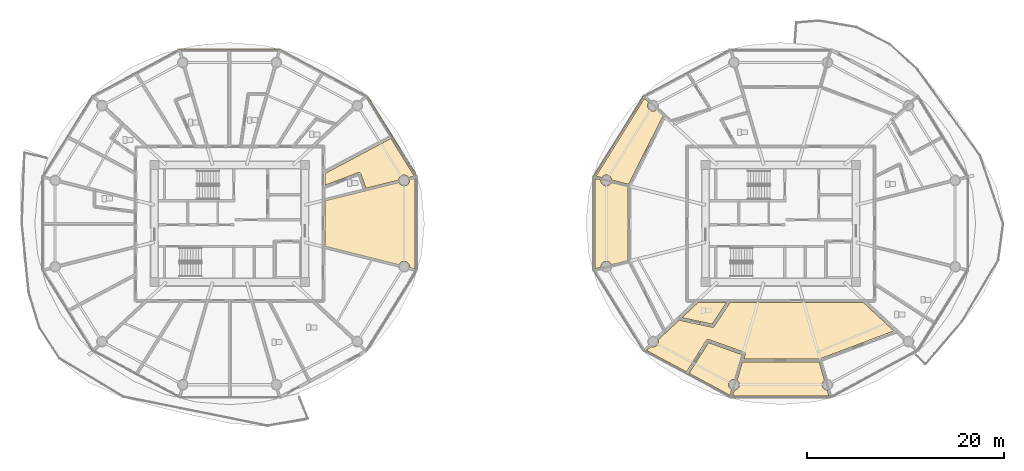
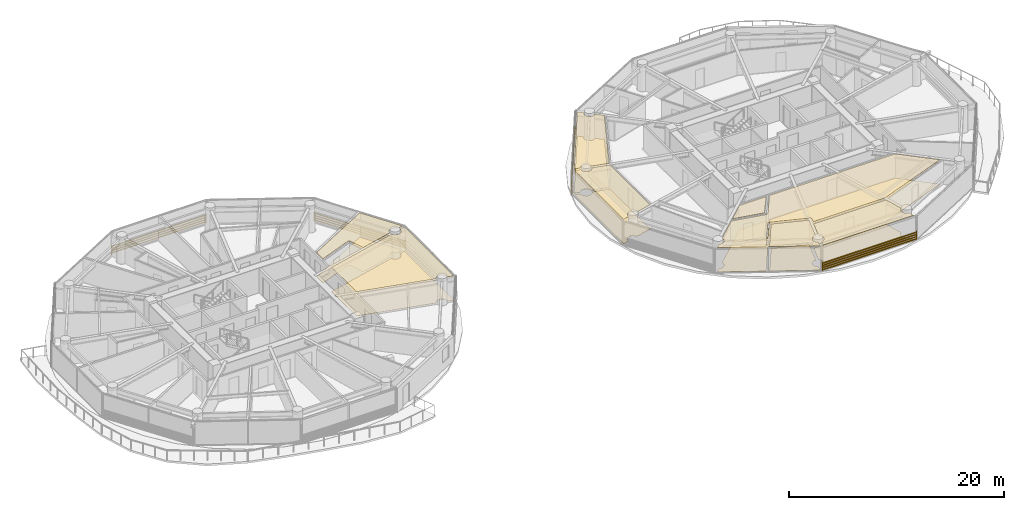
# One storey, part 26 of 31: 16 coverings, 4 shading devices.
"""IFC4 building model written with IfcOpenShell, lengths in metres."""

from ifc_helpers import new_model, si_unit, direction, frame, origin, origin_2d, place, context, subcontext, project, spatial, polyline, rectangle, outline, extrude, source, transform, mapped, material, layer, layer_set, type_object, type_shapes, element, save


model = new_model("IFC4")

# Units and contexts
model_context = context("Model", 3, precision=1e-05, world=origin(), true_north=direction((0.0, 1.0)))
body_context = subcontext(model_context, "Body", "Model", "MODEL_VIEW")
ifc_project = project(units=[si_unit("LENGTHUNIT", "METRE"), si_unit("AREAUNIT", "SQUARE_METRE"), si_unit("VOLUMEUNIT", "CUBIC_METRE"), si_unit("PLANEANGLEUNIT", "RADIAN"), si_unit("MASSUNIT", "GRAM", prefix="KILO")], contexts=[model_context])

# Site, building, storey
site_placement = place(None, origin())
site = spatial("IfcSite", under=ifc_project, at=site_placement, CompositionType="ELEMENT")
building_placement = place(site_placement, origin())
building = spatial("IfcBuilding", under=site, at=building_placement, Name="Norrkilde Senior Care Towers", CompositionType="ELEMENT")
storey_placement = place(building_placement, frame((0.0, 0.0, 42.949951171875)))
storey = spatial("IfcBuildingStorey", under=building, at=storey_placement, Name="L12", CompositionType="ELEMENT", Elevation=42.949951171875)

# Coverings
ifc_material_1 = material(Name="Nordic Ash Timber", Category="wood")
ifc_layer_1 = layer(ifc_material_1, 0.044921875)
ifc_layer_set_1 = layer_set([ifc_layer_1], Name="Nordic Ash Timber")
covering_type_1 = type_object("IfcCoveringType", Name="Acoustic Ash Timber Slatted Ceiling 45", PredefinedType="CEILING", material=ifc_layer_set_1)
covering_1_placement = place(storey_placement, frame((0.0, 0.0, 2.7451171875)))
element("IfcCovering", 1, at=covering_1_placement, inside=storey, type_object=covering_type_1, Name="L12 Suspended Ceiling 0179", PredefinedType="CEILING", context=body_context, shape_type="SweptSolid", body=[
    extrude(outline(polyline([(-10.755859375, 4.109375), (-10.667724609375, 3.99462890625), (-10.552734375, 3.90625), (-10.4189453125, 3.850830078125), (-10.275146484375, 3.83203125), (-10.131591796875, 3.850830078125), (-9.997802734375, 3.90625), (-9.8828125, 3.99462890625), (-9.794677734375, 4.109375), (-9.7392578125, 4.243408203125), (-9.72021484375, 4.386962890625), (-9.729248046875, 4.455322265625), (-9.149169921875, 4.6005859375), (-9.149169921875, -4.6005859375), (-9.729248046875, -4.455322265625), (-9.72021484375, -4.386962890625), (-9.7392578125, -4.243408203125), (-9.794677734375, -4.109375), (-9.8828125, -3.99462890625), (-9.997802734375, -3.90625), (-10.131591796875, -3.850830078125), (-10.275146484375, -3.83203125), (-10.4189453125, -3.850830078125), (-10.552734375, -3.90625), (-10.667724609375, -3.99462890625), (-10.755859375, -4.109375), (-10.7890625, -4.189697265625), (-18.300048828125, -2.30712890625), (-18.300048828125, 2.30712890625), (-10.7890625, 4.189697265625), (-10.755859375, 4.109375)])), origin(), (0.0, 0.0, 1.0), 0.044921875),
])
covering_2_placement = place(storey_placement, frame((0.0, 0.0, 2.7451171875)))
element("IfcCovering", 2, at=covering_2_placement, inside=storey, type_object=covering_type_1, Name="L12 Suspended Ceiling 0180", PredefinedType="CEILING", context=body_context, shape_type="SweptSolid", body=[
    extrude(outline(polyline([(-14.689453125, 5.11279296875), (-14.693359375, 5.11865234375), (-14.700439453125, 5.12841796875), (-14.704833984375, 5.1337890625), (-14.712890625, 5.142822265625), (-14.7177734375, 5.147705078125), (-14.726806640625, 5.15576171875), (-14.732177734375, 5.16015625), (-14.74169921875, 5.167236328125), (-14.74755859375, 5.171142578125), (-14.7578125, 5.17724609375), (-14.76416015625, 5.1806640625), (-14.77490234375, 5.185791015625), (-14.781494140625, 5.188232421875), (-14.792724609375, 5.1923828125), (-14.799560546875, 5.1943359375), (-14.811279296875, 5.197021484375), (-14.818115234375, 5.198486328125), (-14.830078125, 5.199951171875), (-14.8369140625, 5.20068359375), (-14.848876953125, 5.200927734375), (-14.85595703125, 5.200927734375), (-14.867919921875, 5.2001953125), (-14.874755859375, 5.199462890625), (-14.88671875, 5.197509765625), (-14.8935546875, 5.196044921875), (-14.905029296875, 5.19287109375), (-14.911865234375, 5.190673828125), (-14.91748046875, 5.188720703125), (-18.300048828125, 3.899658203125), (-18.300048828125, 5.093017578125), (-18.240234375, 5.125244140625), (-11.614501953125, 8.65234375), (-9.236083984375, 4.826171875), (-9.80859375, 4.6826171875), (-9.8828125, 4.779541015625), (-9.997802734375, 4.86767578125), (-10.131591796875, 4.923095703125), (-10.275146484375, 4.94189453125), (-10.4189453125, 4.923095703125), (-10.552734375, 4.86767578125), (-10.667724609375, 4.779541015625), (-10.755859375, 4.66455078125), (-10.811279296875, 4.530517578125), (-10.824951171875, 4.427978515625), (-14.156982421875, 3.593017578125), (-14.67041015625, 5.0732421875), (-14.67236328125, 5.0791015625), (-14.675048828125, 5.08544921875), (-14.68017578125, 5.096435546875), (-14.683349609375, 5.1025390625), (-14.689453125, 5.11279296875)])), origin(), (0.0, 0.0, 1.0), 0.044921875),
])
covering_3_placement = place(storey_placement, frame((0.0, 0.0, 2.7451171875)))
element("IfcCovering", 3, at=covering_3_placement, inside=storey, type_object=covering_type_1, Name="L12 Suspended Ceiling 0193", PredefinedType="CEILING", context=body_context, shape_type="SweptSolid", body=[
    extrude(outline(polyline([(10.824951171875, 4.427978515625), (10.811279296875, 4.530517578125), (10.755859375, 4.66455078125), (10.667724609375, 4.779541015625), (10.552734375, 4.86767578125), (10.4189453125, 4.923095703125), (10.275146484375, 4.94189453125), (10.131591796875, 4.923095703125), (9.997802734375, 4.86767578125), (9.8828125, 4.779541015625), (9.80859375, 4.6826171875), (9.236083984375, 4.826171875), (14.14013671875, 12.715087890625), (14.583740234375, 12.31494140625), (14.5439453125, 12.262939453125), (14.488525390625, 12.129150390625), (14.469482421875, 11.9853515625), (14.488525390625, 11.841796875), (14.5439453125, 11.7080078125), (14.632080078125, 11.593017578125), (14.7470703125, 11.5048828125), (14.880859375, 11.449462890625), (15.024658203125, 11.430419921875), (15.168212890625, 11.449462890625), (15.302001953125, 11.5048828125), (15.399169921875, 11.579345703125), (16.056640625, 10.986083984375), (12.534912109375, 3.99951171875), (10.824951171875, 4.427978515625)])), origin(), (0.0, 0.0, 1.0), 0.044921875),
])
covering_4_placement = place(storey_placement, frame((0.0, 0.0, 2.7451171875)))
element("IfcCovering", 4, at=covering_4_placement, inside=storey, type_object=covering_type_1, Name="L12 Suspended Ceiling 0194", PredefinedType="CEILING", context=body_context, shape_type="SweptSolid", body=[
    extrude(outline(polyline([(9.72021484375, 4.386962890625), (9.7392578125, 4.243408203125), (9.794677734375, 4.109375), (9.8828125, 3.99462890625), (9.997802734375, 3.90625), (10.131591796875, 3.850830078125), (10.275146484375, 3.83203125), (10.4189453125, 3.850830078125), (10.552734375, 3.90625), (10.667724609375, 3.99462890625), (10.755859375, 4.109375), (10.781982421875, 4.172119140625), (12.4736328125, 3.760498046875), (12.4736328125, -3.760498046875), (10.781982421875, -4.172119140625), (10.755859375, -4.109375), (10.667724609375, -3.99462890625), (10.552734375, -3.90625), (10.4189453125, -3.850830078125), (10.275146484375, -3.83203125), (10.131591796875, -3.850830078125), (9.997802734375, -3.90625), (9.8828125, -3.99462890625), (9.794677734375, -4.109375), (9.7392578125, -4.243408203125), (9.72021484375, -4.386962890625), (9.725830078125, -4.42919921875), (9.149169921875, -4.569580078125), (9.149169921875, 4.569580078125), (9.725830078125, 4.42919921875), (9.72021484375, 4.386962890625)])), origin(), (0.0, 0.0, 1.0), 0.044921875),
])
covering_5_placement = place(storey_placement, frame((0.0, 0.0, 2.7451171875)))
element("IfcCovering", 5, at=covering_5_placement, inside=storey, type_object=covering_type_1, Name="L12 Suspended Ceiling 0196", PredefinedType="CEILING", context=body_context, shape_type="SweptSolid", body=[
    extrude(outline(polyline([(21.08154296875, -10.5341796875), (21.08837890625, -10.533935546875), (21.100341796875, -10.532958984375), (21.107177734375, -10.531982421875), (21.118896484375, -10.52978515625), (21.125732421875, -10.528076171875), (21.136962890625, -10.524658203125), (21.1435546875, -10.5224609375), (21.154541015625, -10.51806640625), (21.160888671875, -10.51513671875), (21.17138671875, -10.509521484375), (21.177490234375, -10.505859375), (21.1875, -10.49951171875), (21.19287109375, -10.495361328125), (21.2021484375, -10.48779296875), (21.207275390625, -10.483154296875), (21.2158203125, -10.474609375), (21.220458984375, -10.469482421875), (21.22802734375, -10.46044921875), (21.232177734375, -10.454833984375), (21.235595703125, -10.449951171875), (22.875, -8.0), (36.377685546875, -8.0), (39.4921875, -10.9130859375), (31.971923828125, -13.73681640625), (24.253173828125, -13.73681640625), (24.382568359375, -13.295166015625), (24.38427734375, -13.289306640625), (24.3857421875, -13.282470703125), (24.387939453125, -13.2705078125), (24.388916015625, -13.263427734375), (24.389892578125, -13.25146484375), (24.39013671875, -13.244384765625), (24.389892578125, -13.232421875), (24.389404296875, -13.225341796875), (24.38818359375, -13.21337890625), (24.386962890625, -13.206298828125), (24.38427734375, -13.194580078125), (24.38232421875, -13.187744140625), (24.378662109375, -13.17626953125), (24.3759765625, -13.169677734375), (24.37109375, -13.15869140625), (24.367919921875, -13.15234375), (24.362060546875, -13.14208984375), (24.358154296875, -13.135986328125), (24.35107421875, -13.126220703125), (24.3466796875, -13.120849609375), (24.3388671875, -13.111572265625), (24.333740234375, -13.106689453125), (24.324951171875, -13.098388671875), (24.319580078125, -13.093994140625), (24.31005859375, -13.086669921875), (24.30419921875, -13.08251953125), (24.2939453125, -13.076416015625), (24.28759765625, -13.072998046875), (24.276611328125, -13.06787109375), (24.270263671875, -13.065185546875), (24.2646484375, -13.06298828125), (20.675537109375, -11.771484375), (20.669921875, -11.76953125), (20.66357421875, -11.767578125), (20.65234375, -11.764892578125), (20.645751953125, -11.763427734375), (20.63427734375, -11.76171875), (20.62744140625, -11.760986328125), (20.615966796875, -11.76025390625), (20.609130859375, -11.76025390625), (20.59765625, -11.7607421875), (20.5908203125, -11.761474609375), (20.579345703125, -11.762939453125), (20.57275390625, -11.76416015625), (20.5615234375, -11.766845703125), (20.55517578125, -11.768798828125), (20.544189453125, -11.7724609375), (20.537841796875, -11.775146484375), (20.52734375, -11.77978515625), (20.521240234375, -11.782958984375), (20.51123046875, -11.788818359375), (20.505615234375, -11.79248046875), (20.49609375, -11.799072265625), (20.49072265625, -11.80322265625), (20.482177734375, -11.810791015625), (20.477294921875, -11.815673828125), (20.46923828125, -11.823974609375), (20.46484375, -11.8291015625), (20.457763671875, -11.83837890625), (20.453857421875, -11.84375), (20.45068359375, -11.8486328125), (18.4130859375, -15.0673828125), (14.37890625, -12.904296875), (14.816650390625, -12.494873046875), (14.880859375, -12.521484375), (15.024658203125, -12.54052734375), (15.168212890625, -12.521484375), (15.302001953125, -12.466064453125), (15.4169921875, -12.3779296875), (15.505126953125, -12.262939453125), (15.560791015625, -12.129150390625), (15.57958984375, -11.9853515625), (15.560791015625, -11.841796875), (15.5478515625, -11.810791015625), (17.682373046875, -9.814453125), (21.0380859375, -10.530029296875), (21.0439453125, -10.53125), (21.05078125, -10.5322265625), (21.062744140625, -10.53369140625), (21.069580078125, -10.5341796875), (21.08154296875, -10.5341796875)])), origin(), (0.0, 0.0, 1.0), 0.044921875),
])
covering_6_placement = place(storey_placement, frame((0.0, 0.0, 2.7451171875)))
element("IfcCovering", 6, at=covering_6_placement, inside=storey, type_object=covering_type_1, Name="L12 Suspended Ceiling 0198", PredefinedType="CEILING", context=body_context, shape_type="SweptSolid", body=[
    extrude(outline(polyline([(23.318115234375, -15.826416015625), (23.250732421875, -15.8173828125), (23.10693359375, -15.83642578125), (22.97314453125, -15.891845703125), (22.858154296875, -15.97998046875), (22.77001953125, -16.094970703125), (22.714599609375, -16.228759765625), (22.695556640625, -16.37255859375), (22.714599609375, -16.51611328125), (22.77001953125, -16.64990234375), (22.858154296875, -16.764892578125), (22.97314453125, -16.85302734375), (23.0126953125, -16.869384765625), (22.844482421875, -17.443603515625), (18.68701171875, -15.21435546875), (20.6611328125, -12.095703125), (24.053466796875, -13.31640625), (23.318115234375, -15.826416015625)])), origin(), (0.0, 0.0, 1.0), 0.044921875),
])
covering_7_placement = place(storey_placement, frame((0.0, 0.0, 2.7451171875)))
element("IfcCovering", 7, at=covering_7_placement, inside=storey, type_object=covering_type_1, Name="L12 Suspended Ceiling 0199", PredefinedType="CEILING", context=body_context, shape_type="SweptSolid", body=[
    extrude(outline(polyline([(23.2763671875, -16.924072265625), (23.394287109375, -16.908447265625), (23.528076171875, -16.85302734375), (23.64306640625, -16.764892578125), (23.731201171875, -16.64990234375), (23.786865234375, -16.51611328125), (23.8056640625, -16.37255859375), (23.786865234375, -16.228759765625), (23.731201171875, -16.094970703125), (23.64306640625, -15.97998046875), (23.564208984375, -15.91943359375), (24.1005859375, -14.046875), (31.8994140625, -14.046875), (32.435791015625, -15.91943359375), (32.35693359375, -15.97998046875), (32.268798828125, -16.094970703125), (32.213134765625, -16.228759765625), (32.1943359375, -16.37255859375), (32.213134765625, -16.51611328125), (32.268798828125, -16.64990234375), (32.35693359375, -16.764892578125), (32.471923828125, -16.85302734375), (32.605712890625, -16.908447265625), (32.7236328125, -16.924072265625), (32.88818359375, -17.49853515625), (23.11181640625, -17.49853515625), (23.2763671875, -16.924072265625)])), origin(), (0.0, 0.0, 1.0), 0.044921875),
])
ifc_material_2 = material(Name="Gypsum Acoustic Board")
ifc_layer_2 = layer(ifc_material_2, 0.030029296875)
ifc_layer_set_2 = layer_set([ifc_layer_2], Name="Gypsum Acoustic Board")
covering_type_2 = type_object("IfcCoveringType", Name="Medical Cleanable Gypsum Ceiling 30", PredefinedType="CEILING", material=ifc_layer_set_2)
covering_8_placement = place(storey_placement, frame((0.0, 0.0, 2.760009765625)))
element("IfcCovering", 8, at=covering_8_placement, inside=storey, type_object=covering_type_2, Name="L12 Suspended Ceiling 0197", PredefinedType="CEILING", context=body_context, shape_type="SweptSolid", body=[
    extrude(outline(polyline([(17.95849609375, -9.55615234375), (19.622314453125, -8.0), (22.502197265625, -8.0), (21.023193359375, -10.2099609375), (17.95849609375, -9.55615234375)])), origin(), (0.0, 0.0, 1.0), 0.030029296875),
])
ifc_material_3 = material(Name="Slip-Resistant Porcelain Stone", Category="masonry")
ifc_layer_3 = layer(ifc_material_3, 0.02490234375)
ifc_layer_set_3 = layer_set([ifc_layer_3], Name="Slip-Resistant Porcelain Stone")
covering_type_3 = type_object("IfcCoveringType", Name="Slip-Resistant Porcelain Flooring 25", PredefinedType="FLOORING", material=ifc_layer_set_3)
covering_9_placement = place(storey_placement, origin())
element("IfcCovering", 9, at=covering_9_placement, inside=storey, type_object=covering_type_3, Name="L12 Floor Finish 0179", PredefinedType="FLOORING", context=body_context, shape_type="SweptSolid", body=[
    extrude(outline(polyline([(-10.755859375, 4.109375), (-10.667724609375, 3.99462890625), (-10.552734375, 3.90625), (-10.4189453125, 3.850830078125), (-10.275146484375, 3.83203125), (-10.131591796875, 3.850830078125), (-9.997802734375, 3.90625), (-9.8828125, 3.99462890625), (-9.794677734375, 4.109375), (-9.7392578125, 4.243408203125), (-9.72021484375, 4.386962890625), (-9.729248046875, 4.455322265625), (-9.149169921875, 4.6005859375), (-9.149169921875, -4.6005859375), (-9.729248046875, -4.455322265625), (-9.72021484375, -4.386962890625), (-9.7392578125, -4.243408203125), (-9.794677734375, -4.109375), (-9.8828125, -3.99462890625), (-9.997802734375, -3.90625), (-10.131591796875, -3.850830078125), (-10.275146484375, -3.83203125), (-10.4189453125, -3.850830078125), (-10.552734375, -3.90625), (-10.667724609375, -3.99462890625), (-10.755859375, -4.109375), (-10.7890625, -4.189697265625), (-18.300048828125, -2.30712890625), (-18.300048828125, 2.30712890625), (-10.7890625, 4.189697265625), (-10.755859375, 4.109375)])), origin(), (0.0, 0.0, 1.0), 0.025146484375),
])
covering_10_placement = place(storey_placement, origin())
element("IfcCovering", 10, at=covering_10_placement, inside=storey, type_object=covering_type_3, Name="L12 Floor Finish 0180", PredefinedType="FLOORING", context=body_context, shape_type="SweptSolid", body=[
    extrude(outline(polyline([(-14.689453125, 5.11279296875), (-14.693359375, 5.11865234375), (-14.700439453125, 5.12841796875), (-14.704833984375, 5.1337890625), (-14.712890625, 5.142822265625), (-14.7177734375, 5.147705078125), (-14.726806640625, 5.15576171875), (-14.732177734375, 5.16015625), (-14.74169921875, 5.167236328125), (-14.74755859375, 5.171142578125), (-14.7578125, 5.17724609375), (-14.76416015625, 5.1806640625), (-14.77490234375, 5.185791015625), (-14.781494140625, 5.188232421875), (-14.792724609375, 5.1923828125), (-14.799560546875, 5.1943359375), (-14.811279296875, 5.197021484375), (-14.818115234375, 5.198486328125), (-14.830078125, 5.199951171875), (-14.8369140625, 5.20068359375), (-14.848876953125, 5.200927734375), (-14.85595703125, 5.200927734375), (-14.867919921875, 5.2001953125), (-14.874755859375, 5.199462890625), (-14.88671875, 5.197509765625), (-14.8935546875, 5.196044921875), (-14.905029296875, 5.19287109375), (-14.911865234375, 5.190673828125), (-14.91748046875, 5.188720703125), (-18.300048828125, 3.899658203125), (-18.300048828125, 5.093017578125), (-18.240234375, 5.125244140625), (-11.614501953125, 8.65234375), (-9.236083984375, 4.826171875), (-9.80859375, 4.6826171875), (-9.8828125, 4.779541015625), (-9.997802734375, 4.86767578125), (-10.131591796875, 4.923095703125), (-10.275146484375, 4.94189453125), (-10.4189453125, 4.923095703125), (-10.552734375, 4.86767578125), (-10.667724609375, 4.779541015625), (-10.755859375, 4.66455078125), (-10.811279296875, 4.530517578125), (-10.824951171875, 4.427978515625), (-14.156982421875, 3.593017578125), (-14.67041015625, 5.0732421875), (-14.67236328125, 5.0791015625), (-14.675048828125, 5.08544921875), (-14.68017578125, 5.096435546875), (-14.683349609375, 5.1025390625), (-14.689453125, 5.11279296875)])), origin(), (0.0, 0.0, 1.0), 0.025146484375),
])
covering_11_placement = place(storey_placement, origin())
element("IfcCovering", 11, at=covering_11_placement, inside=storey, type_object=covering_type_3, Name="L12 Floor Finish 0193", PredefinedType="FLOORING", context=body_context, shape_type="SweptSolid", body=[
    extrude(outline(polyline([(10.824951171875, 4.427978515625), (10.811279296875, 4.530517578125), (10.755859375, 4.66455078125), (10.667724609375, 4.779541015625), (10.552734375, 4.86767578125), (10.4189453125, 4.923095703125), (10.275146484375, 4.94189453125), (10.131591796875, 4.923095703125), (9.997802734375, 4.86767578125), (9.8828125, 4.779541015625), (9.80859375, 4.6826171875), (9.236083984375, 4.826171875), (14.14013671875, 12.715087890625), (14.583740234375, 12.31494140625), (14.5439453125, 12.262939453125), (14.488525390625, 12.129150390625), (14.469482421875, 11.9853515625), (14.488525390625, 11.841796875), (14.5439453125, 11.7080078125), (14.632080078125, 11.593017578125), (14.7470703125, 11.5048828125), (14.880859375, 11.449462890625), (15.024658203125, 11.430419921875), (15.168212890625, 11.449462890625), (15.302001953125, 11.5048828125), (15.399169921875, 11.579345703125), (16.056640625, 10.986083984375), (12.534912109375, 3.99951171875), (10.824951171875, 4.427978515625)])), origin(), (0.0, 0.0, 1.0), 0.025146484375),
])
covering_12_placement = place(storey_placement, origin())
element("IfcCovering", 12, at=covering_12_placement, inside=storey, type_object=covering_type_3, Name="L12 Floor Finish 0194", PredefinedType="FLOORING", context=body_context, shape_type="SweptSolid", body=[
    extrude(outline(polyline([(9.72021484375, 4.386962890625), (9.7392578125, 4.243408203125), (9.794677734375, 4.109375), (9.8828125, 3.99462890625), (9.997802734375, 3.90625), (10.131591796875, 3.850830078125), (10.275146484375, 3.83203125), (10.4189453125, 3.850830078125), (10.552734375, 3.90625), (10.667724609375, 3.99462890625), (10.755859375, 4.109375), (10.781982421875, 4.172119140625), (12.4736328125, 3.760498046875), (12.4736328125, -3.760498046875), (10.781982421875, -4.172119140625), (10.755859375, -4.109375), (10.667724609375, -3.99462890625), (10.552734375, -3.90625), (10.4189453125, -3.850830078125), (10.275146484375, -3.83203125), (10.131591796875, -3.850830078125), (9.997802734375, -3.90625), (9.8828125, -3.99462890625), (9.794677734375, -4.109375), (9.7392578125, -4.243408203125), (9.72021484375, -4.386962890625), (9.725830078125, -4.42919921875), (9.149169921875, -4.569580078125), (9.149169921875, 4.569580078125), (9.725830078125, 4.42919921875), (9.72021484375, 4.386962890625)])), origin(), (0.0, 0.0, 1.0), 0.025146484375),
])
covering_13_placement = place(storey_placement, origin())
element("IfcCovering", 13, at=covering_13_placement, inside=storey, type_object=covering_type_3, Name="L12 Floor Finish 0196", PredefinedType="FLOORING", context=body_context, shape_type="SweptSolid", body=[
    extrude(outline(polyline([(21.08154296875, -10.5341796875), (21.08837890625, -10.533935546875), (21.100341796875, -10.532958984375), (21.107177734375, -10.531982421875), (21.118896484375, -10.52978515625), (21.125732421875, -10.528076171875), (21.136962890625, -10.524658203125), (21.1435546875, -10.5224609375), (21.154541015625, -10.51806640625), (21.160888671875, -10.51513671875), (21.17138671875, -10.509521484375), (21.177490234375, -10.505859375), (21.1875, -10.49951171875), (21.19287109375, -10.495361328125), (21.2021484375, -10.48779296875), (21.207275390625, -10.483154296875), (21.2158203125, -10.474609375), (21.220458984375, -10.469482421875), (21.22802734375, -10.46044921875), (21.232177734375, -10.454833984375), (21.235595703125, -10.449951171875), (22.875, -8.0), (36.377685546875, -8.0), (39.4921875, -10.9130859375), (31.971923828125, -13.73681640625), (24.253173828125, -13.73681640625), (24.382568359375, -13.295166015625), (24.38427734375, -13.289306640625), (24.3857421875, -13.282470703125), (24.387939453125, -13.2705078125), (24.388916015625, -13.263427734375), (24.389892578125, -13.25146484375), (24.39013671875, -13.244384765625), (24.389892578125, -13.232421875), (24.389404296875, -13.225341796875), (24.38818359375, -13.21337890625), (24.386962890625, -13.206298828125), (24.38427734375, -13.194580078125), (24.38232421875, -13.187744140625), (24.378662109375, -13.17626953125), (24.3759765625, -13.169677734375), (24.37109375, -13.15869140625), (24.367919921875, -13.15234375), (24.362060546875, -13.14208984375), (24.358154296875, -13.135986328125), (24.35107421875, -13.126220703125), (24.3466796875, -13.120849609375), (24.3388671875, -13.111572265625), (24.333740234375, -13.106689453125), (24.324951171875, -13.098388671875), (24.319580078125, -13.093994140625), (24.31005859375, -13.086669921875), (24.30419921875, -13.08251953125), (24.2939453125, -13.076416015625), (24.28759765625, -13.072998046875), (24.276611328125, -13.06787109375), (24.270263671875, -13.065185546875), (24.2646484375, -13.06298828125), (20.675537109375, -11.771484375), (20.669921875, -11.76953125), (20.66357421875, -11.767578125), (20.65234375, -11.764892578125), (20.645751953125, -11.763427734375), (20.63427734375, -11.76171875), (20.62744140625, -11.760986328125), (20.615966796875, -11.76025390625), (20.609130859375, -11.76025390625), (20.59765625, -11.7607421875), (20.5908203125, -11.761474609375), (20.579345703125, -11.762939453125), (20.57275390625, -11.76416015625), (20.5615234375, -11.766845703125), (20.55517578125, -11.768798828125), (20.544189453125, -11.7724609375), (20.537841796875, -11.775146484375), (20.52734375, -11.77978515625), (20.521240234375, -11.782958984375), (20.51123046875, -11.788818359375), (20.505615234375, -11.79248046875), (20.49609375, -11.799072265625), (20.49072265625, -11.80322265625), (20.482177734375, -11.810791015625), (20.477294921875, -11.815673828125), (20.46923828125, -11.823974609375), (20.46484375, -11.8291015625), (20.457763671875, -11.83837890625), (20.453857421875, -11.84375), (20.45068359375, -11.8486328125), (18.4130859375, -15.0673828125), (14.37890625, -12.904296875), (14.816650390625, -12.494873046875), (14.880859375, -12.521484375), (15.024658203125, -12.54052734375), (15.168212890625, -12.521484375), (15.302001953125, -12.466064453125), (15.4169921875, -12.3779296875), (15.505126953125, -12.262939453125), (15.560791015625, -12.129150390625), (15.57958984375, -11.9853515625), (15.560791015625, -11.841796875), (15.5478515625, -11.810791015625), (17.682373046875, -9.814453125), (21.0380859375, -10.530029296875), (21.0439453125, -10.53125), (21.05078125, -10.5322265625), (21.062744140625, -10.53369140625), (21.069580078125, -10.5341796875), (21.08154296875, -10.5341796875)])), origin(), (0.0, 0.0, 1.0), 0.025146484375),
])
covering_14_placement = place(storey_placement, origin())
element("IfcCovering", 14, at=covering_14_placement, inside=storey, type_object=covering_type_3, Name="L12 Floor Finish 0197", PredefinedType="FLOORING", context=body_context, shape_type="SweptSolid", body=[
    extrude(outline(polyline([(17.95849609375, -9.55615234375), (19.622314453125, -8.0), (22.502197265625, -8.0), (21.023193359375, -10.2099609375), (17.95849609375, -9.55615234375)])), origin(), (0.0, 0.0, 1.0), 0.025146484375),
])
covering_15_placement = place(storey_placement, origin())
element("IfcCovering", 15, at=covering_15_placement, inside=storey, type_object=covering_type_3, Name="L12 Floor Finish 0198", PredefinedType="FLOORING", context=body_context, shape_type="SweptSolid", body=[
    extrude(outline(polyline([(23.318115234375, -15.826416015625), (23.250732421875, -15.8173828125), (23.10693359375, -15.83642578125), (22.97314453125, -15.891845703125), (22.858154296875, -15.97998046875), (22.77001953125, -16.094970703125), (22.714599609375, -16.228759765625), (22.695556640625, -16.37255859375), (22.714599609375, -16.51611328125), (22.77001953125, -16.64990234375), (22.858154296875, -16.764892578125), (22.97314453125, -16.85302734375), (23.0126953125, -16.869384765625), (22.844482421875, -17.443603515625), (18.68701171875, -15.21435546875), (20.6611328125, -12.095703125), (24.053466796875, -13.31640625), (23.318115234375, -15.826416015625)])), origin(), (0.0, 0.0, 1.0), 0.025146484375),
])
covering_16_placement = place(storey_placement, origin())
element("IfcCovering", 16, at=covering_16_placement, inside=storey, type_object=covering_type_3, Name="L12 Floor Finish 0199", PredefinedType="FLOORING", context=body_context, shape_type="SweptSolid", body=[
    extrude(outline(polyline([(23.2763671875, -16.924072265625), (23.394287109375, -16.908447265625), (23.528076171875, -16.85302734375), (23.64306640625, -16.764892578125), (23.731201171875, -16.64990234375), (23.786865234375, -16.51611328125), (23.8056640625, -16.37255859375), (23.786865234375, -16.228759765625), (23.731201171875, -16.094970703125), (23.64306640625, -15.97998046875), (23.564208984375, -15.91943359375), (24.1005859375, -14.046875), (31.8994140625, -14.046875), (32.435791015625, -15.91943359375), (32.35693359375, -15.97998046875), (32.268798828125, -16.094970703125), (32.213134765625, -16.228759765625), (32.1943359375, -16.37255859375), (32.213134765625, -16.51611328125), (32.268798828125, -16.64990234375), (32.35693359375, -16.764892578125), (32.471923828125, -16.85302734375), (32.605712890625, -16.908447265625), (32.7236328125, -16.924072265625), (32.88818359375, -17.49853515625), (23.11181640625, -17.49853515625), (23.2763671875, -16.924072265625)])), origin(), (0.0, 0.0, 1.0), 0.025146484375),
])

# Shading devices
ifc_material_4 = material(Name="Architectural Terracotta", Category="masonry")
shading_device_type = type_object("IfcShadingDeviceType", Name="Horizontal Terracotta Baguette Rack", PredefinedType="USERDEFINED", material=ifc_material_4)
shared_shape_1 = source(origin(), body_context, "Body", "SweptSolid", [
    extrude(rectangle(XDim=0.070068359375, YDim=0.110107421875, at=origin_2d()), frame((0.0, 0.090087890625, 0.125), z_axis=(1.0, 0.0, 0.0), x_axis=(0.0, 1.0, 0.0)), (0.0, 0.0, 1.0), 9.64892578125),
    extrude(rectangle(XDim=0.070068359375, YDim=0.110107421875, at=origin_2d()), frame((0.0, 0.090087890625, 0.375), z_axis=(1.0, 0.0, 0.0), x_axis=(0.0, 1.0, 0.0)), (0.0, 0.0, 1.0), 9.64892578125),
    extrude(rectangle(XDim=0.070068359375, YDim=0.110107421875, at=origin_2d()), frame((0.0, 0.090087890625, 0.625), z_axis=(1.0, 0.0, 0.0), x_axis=(0.0, 1.0, 0.0)), (0.0, 0.0, 1.0), 9.64892578125),
    extrude(rectangle(XDim=0.070068359375, YDim=0.110107421875, at=origin_2d()), frame((0.0, 0.090087890625, 0.875), z_axis=(1.0, 0.0, 0.0), x_axis=(0.0, 1.0, 0.0)), (0.0, 0.0, 1.0), 9.64892578125),
    extrude(rectangle(XDim=0.050048828125, YDim=0.1552734375, at=origin_2d()), frame((0.02490234375, 0.047607421875, 0.0)), (0.0, 0.0, 1.0), 1.0),
    extrude(rectangle(XDim=0.050048828125, YDim=0.1552734375, at=origin_2d()), frame((9.6240234375, 0.047607421875, 0.0)), (0.0, 0.0, 1.0), 1.0),
])
for number, where, z_axis, x_axis, name in (
    (17, (-14.084228515625, 12.926025390625, 0.080078125), (0.0, 0.0, 1.0), (0.527908506655, -0.849299124538, 0.0), "L12 Drum W Terracotta Baguette Screen 00"),
    (18, (8.990478515625, 4.731201171875, 0.080078125), (0.0, 0.0, 1.0), (0.527908506655, 0.849299124538, 0.0), "L12 Drum E Terracotta Baguette Screen 04"),
):
    element("IfcShadingDevice", number, at=place(storey_placement, frame(where, z_axis=z_axis, x_axis=x_axis)), inside=storey, type_object=shading_device_type, Name=name, ObjectType="BAGUETTE", PredefinedType="USERDEFINED", context=body_context, shape_type="MappedRepresentation", body=[
        mapped(shared_shape_1, transform((0.0, 0.0, 0.0), x_axis=(1.0, 0.0, 0.0), y_axis=(0.0, 1.0, 0.0), z_axis=(0.0, 0.0, 1.0), scale=1.0)),
    ])
shared_shape_2 = source(origin(), body_context, "Body", "SweptSolid", [
    extrude(rectangle(XDim=0.070068359375, YDim=0.110107421875, at=origin_2d()), frame((0.0, 0.090087890625, 0.125), z_axis=(1.0, 0.0, 0.0), x_axis=(0.0, 1.0, 0.0)), (0.0, 0.0, 1.0), 10.18701171875),
    extrude(rectangle(XDim=0.070068359375, YDim=0.110107421875, at=origin_2d()), frame((0.0, 0.090087890625, 0.375), z_axis=(1.0, 0.0, 0.0), x_axis=(0.0, 1.0, 0.0)), (0.0, 0.0, 1.0), 10.18701171875),
    extrude(rectangle(XDim=0.070068359375, YDim=0.110107421875, at=origin_2d()), frame((0.0, 0.090087890625, 0.625), z_axis=(1.0, 0.0, 0.0), x_axis=(0.0, 1.0, 0.0)), (0.0, 0.0, 1.0), 10.18701171875),
    extrude(rectangle(XDim=0.070068359375, YDim=0.110107421875, at=origin_2d()), frame((0.0, 0.090087890625, 0.875), z_axis=(1.0, 0.0, 0.0), x_axis=(0.0, 1.0, 0.0)), (0.0, 0.0, 1.0), 10.18701171875),
    extrude(rectangle(XDim=0.050048828125, YDim=0.1552734375, at=origin_2d()), frame((0.02490234375, 0.047607421875, 0.0)), (0.0, 0.0, 1.0), 1.0),
    extrude(rectangle(XDim=0.050048828125, YDim=0.1552734375, at=origin_2d()), frame((10.162109375, 0.047607421875, 0.0)), (0.0, 0.0, 1.0), 1.0),
])
type_shapes(shading_device_type, [shared_shape_1, shared_shape_2])
for number, where, z_axis, x_axis, name in (
    (19, (-33.093505859375, 17.6572265625, 0.080078125), (0.0, 0.0, 1.0), (1.0, 0.0, 0.0), "L12 Drum W Terracotta Baguette Screen 02"),
    (20, (33.093505859375, -17.6572265625, 0.080078125), (0.0, 0.0, 1.0), (-1.0, 0.0, 0.0), "L12 Drum E Terracotta Baguette Screen 08"),
):
    element("IfcShadingDevice", number, at=place(storey_placement, frame(where, z_axis=z_axis, x_axis=x_axis)), inside=storey, type_object=shading_device_type, Name=name, ObjectType="BAGUETTE", PredefinedType="USERDEFINED", context=body_context, shape_type="MappedRepresentation", body=[
        mapped(shared_shape_2, transform((0.0, 0.0, 0.0), x_axis=(1.0, 0.0, 0.0), y_axis=(0.0, 1.0, 0.0), z_axis=(0.0, 0.0, 1.0), scale=1.0)),
    ])

save(model, "model.ifc")
